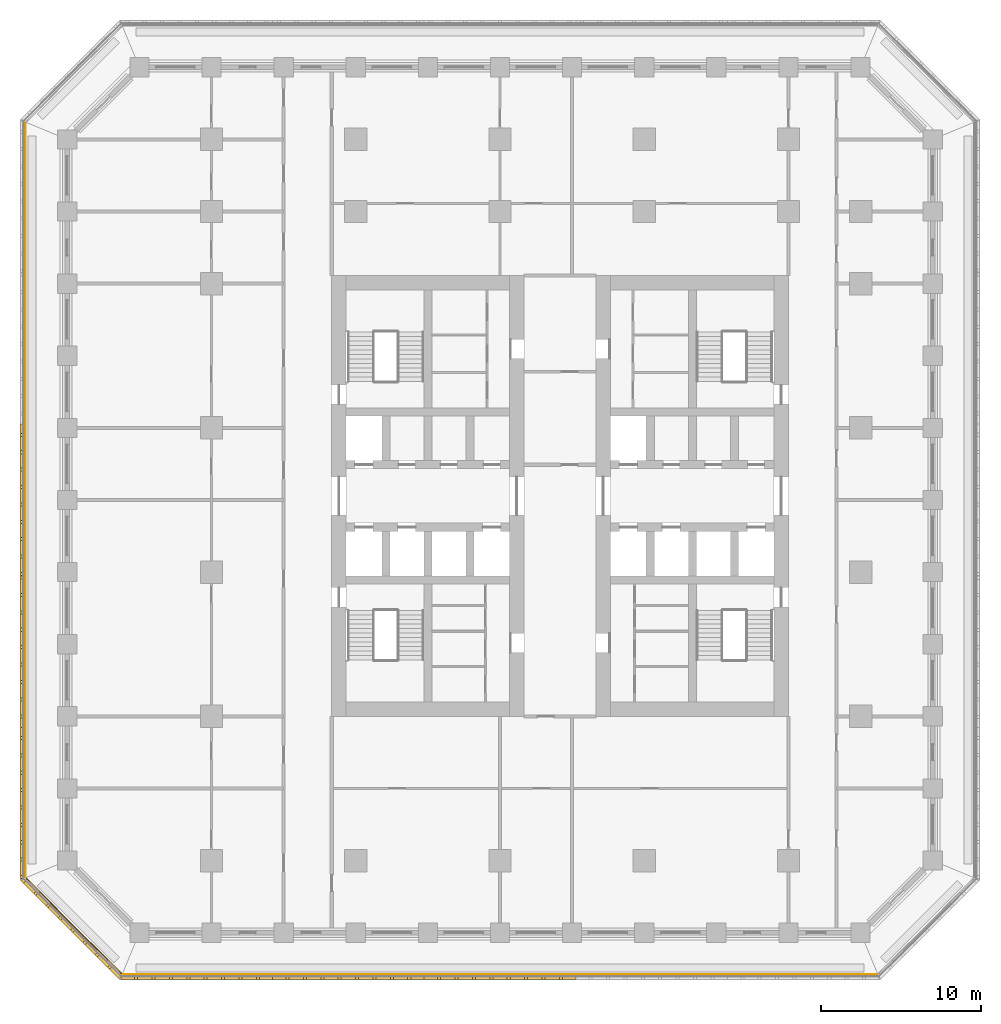
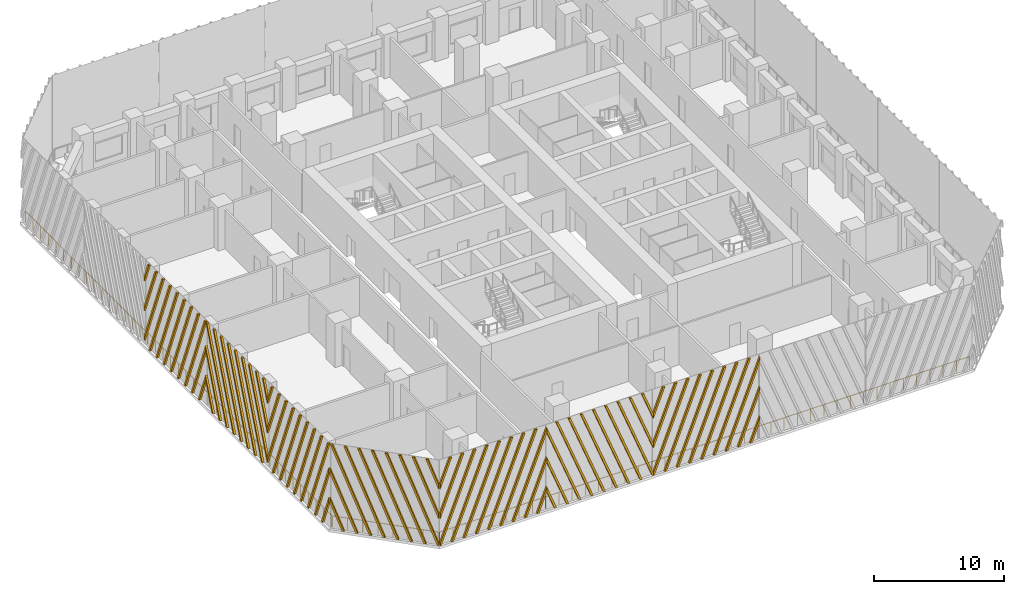
# One storey, part 10 of 19: 7 shading devices, 3 railings.
"""IFC4 building model written with IfcOpenShell, lengths in metres."""

from ifc_helpers import new_model, si_unit, direction, frame, origin, origin_2d, place, context, subcontext, project, spatial, polyline, circle, outline, extrude, source, transform, mapped, material, type_object, element, save


model = new_model("IFC4")

# Units and contexts
model_context = context("Model", 3, precision=1e-05, world=origin(), true_north=direction((0.0, 1.0)))
body_context = subcontext(model_context, "Body", "Model", "MODEL_VIEW")
ifc_project = project(units=[si_unit("LENGTHUNIT", "METRE"), si_unit("AREAUNIT", "SQUARE_METRE"), si_unit("VOLUMEUNIT", "CUBIC_METRE"), si_unit("PLANEANGLEUNIT", "RADIAN"), si_unit("MASSUNIT", "GRAM", prefix="KILO")], contexts=[model_context])

# Site, building, storey
site_placement = place(None, origin())
site = spatial("IfcSite", under=ifc_project, at=site_placement, CompositionType="ELEMENT")
building_placement = place(site_placement, origin())
building = spatial("IfcBuilding", under=site, at=building_placement, Name="Corbel Stack Research Tower", CompositionType="ELEMENT")
storey_placement = place(building_placement, frame((0.0, 0.0, 133.10009765625)))
storey = spatial("IfcBuildingStorey", under=building, at=storey_placement, Name="L30", CompositionType="ELEMENT", Elevation=133.10009765625)

# Railings
ifc_material_1 = material(Name="Powder-coated steel guard", Category="steel")
railing_type = type_object("IfcRailingType", Name="Steel and glass guard 1100", PredefinedType="GUARDRAIL", material=ifc_material_1)
railing_1_placement = place(storey_placement, frame((-23.50537109375, -25.10009765625, 0.0)))
element("IfcRailing", 1, at=railing_1_placement, inside=storey, type_object=railing_type, Name="Loggia guard L30 S", PredefinedType="GUARDRAIL", context=body_context, shape_type="SweptSolid", body=[
    extrude(circle(Radius=0.02392578125, at=origin_2d()), frame((0.0, 0.0, 1.076171875), z_axis=(1.0, 0.0, 0.0), x_axis=(0.0, 1.0, 0.0)), (0.0, 0.0, 1.0), 47.0107421875),
    extrude(circle(Radius=0.02099609375, at=origin_2d()), origin(), (0.0, 0.0, 1.0), 1.052001953125),
    extrude(circle(Radius=0.02099609375, at=origin_2d()), frame((1.17529296875, 0.0, 0.0)), (0.0, 0.0, 1.0), 1.052001953125),
    extrude(circle(Radius=0.02099609375, at=origin_2d()), frame((2.3505859375, 0.0, 0.0)), (0.0, 0.0, 1.0), 1.052001953125),
    extrude(circle(Radius=0.02099609375, at=origin_2d()), frame((3.52587890625, 0.0, 0.0)), (0.0, 0.0, 1.0), 1.052001953125),
    extrude(circle(Radius=0.02099609375, at=origin_2d()), frame((4.701171875, 0.0, 0.0)), (0.0, 0.0, 1.0), 1.052001953125),
    extrude(circle(Radius=0.02099609375, at=origin_2d()), frame((5.87646484375, 0.0, 0.0)), (0.0, 0.0, 1.0), 1.052001953125),
    extrude(circle(Radius=0.02099609375, at=origin_2d()), frame((7.051513671875, 0.0, 0.0)), (0.0, 0.0, 1.0), 1.052001953125),
    extrude(circle(Radius=0.02099609375, at=origin_2d()), frame((8.226806640625, 0.0, 0.0)), (0.0, 0.0, 1.0), 1.052001953125),
    extrude(circle(Radius=0.02099609375, at=origin_2d()), frame((9.402099609375, 0.0, 0.0)), (0.0, 0.0, 1.0), 1.052001953125),
    extrude(circle(Radius=0.02099609375, at=origin_2d()), frame((10.577392578125, 0.0, 0.0)), (0.0, 0.0, 1.0), 1.052001953125),
    extrude(circle(Radius=0.02099609375, at=origin_2d()), frame((11.752685546875, 0.0, 0.0)), (0.0, 0.0, 1.0), 1.052001953125),
    extrude(circle(Radius=0.02099609375, at=origin_2d()), frame((12.927978515625, 0.0, 0.0)), (0.0, 0.0, 1.0), 1.052001953125),
    extrude(circle(Radius=0.02099609375, at=origin_2d()), frame((14.103271484375, 0.0, 0.0)), (0.0, 0.0, 1.0), 1.052001953125),
    extrude(circle(Radius=0.02099609375, at=origin_2d()), frame((15.278564453125, 0.0, 0.0)), (0.0, 0.0, 1.0), 1.052001953125),
    extrude(circle(Radius=0.02099609375, at=origin_2d()), frame((16.453857421875, 0.0, 0.0)), (0.0, 0.0, 1.0), 1.052001953125),
    extrude(circle(Radius=0.02099609375, at=origin_2d()), frame((17.62890625, 0.0, 0.0)), (0.0, 0.0, 1.0), 1.052001953125),
    extrude(circle(Radius=0.02099609375, at=origin_2d()), frame((18.80419921875, 0.0, 0.0)), (0.0, 0.0, 1.0), 1.052001953125),
    extrude(circle(Radius=0.02099609375, at=origin_2d()), frame((19.9794921875, 0.0, 0.0)), (0.0, 0.0, 1.0), 1.052001953125),
    extrude(circle(Radius=0.02099609375, at=origin_2d()), frame((21.15478515625, 0.0, 0.0)), (0.0, 0.0, 1.0), 1.052001953125),
    extrude(circle(Radius=0.02099609375, at=origin_2d()), frame((22.330078125, 0.0, 0.0)), (0.0, 0.0, 1.0), 1.052001953125),
    extrude(circle(Radius=0.02099609375, at=origin_2d()), frame((23.50537109375, 0.0, 0.0)), (0.0, 0.0, 1.0), 1.052001953125),
    extrude(circle(Radius=0.02099609375, at=origin_2d()), frame((24.6806640625, 0.0, 0.0)), (0.0, 0.0, 1.0), 1.052001953125),
    extrude(circle(Radius=0.02099609375, at=origin_2d()), frame((25.85595703125, 0.0, 0.0)), (0.0, 0.0, 1.0), 1.052001953125),
    extrude(circle(Radius=0.02099609375, at=origin_2d()), frame((27.03125, 0.0, 0.0)), (0.0, 0.0, 1.0), 1.052001953125),
    extrude(circle(Radius=0.02099609375, at=origin_2d()), frame((28.20654296875, 0.0, 0.0)), (0.0, 0.0, 1.0), 1.052001953125),
    extrude(circle(Radius=0.02099609375, at=origin_2d()), frame((29.3818359375, 0.0, 0.0)), (0.0, 0.0, 1.0), 1.052001953125),
    extrude(circle(Radius=0.02099609375, at=origin_2d()), frame((30.556884765625, 0.0, 0.0)), (0.0, 0.0, 1.0), 1.052001953125),
    extrude(circle(Radius=0.02099609375, at=origin_2d()), frame((31.732177734375, 0.0, 0.0)), (0.0, 0.0, 1.0), 1.052001953125),
    extrude(circle(Radius=0.02099609375, at=origin_2d()), frame((32.907470703125, 0.0, 0.0)), (0.0, 0.0, 1.0), 1.052001953125),
    extrude(circle(Radius=0.02099609375, at=origin_2d()), frame((34.082763671875, 0.0, 0.0)), (0.0, 0.0, 1.0), 1.052001953125),
    extrude(circle(Radius=0.02099609375, at=origin_2d()), frame((35.258056640625, 0.0, 0.0)), (0.0, 0.0, 1.0), 1.052001953125),
    extrude(circle(Radius=0.02099609375, at=origin_2d()), frame((36.433349609375, 0.0, 0.0)), (0.0, 0.0, 1.0), 1.052001953125),
    extrude(circle(Radius=0.02099609375, at=origin_2d()), frame((37.608642578125, 0.0, 0.0)), (0.0, 0.0, 1.0), 1.052001953125),
    extrude(circle(Radius=0.02099609375, at=origin_2d()), frame((38.783935546875, 0.0, 0.0)), (0.0, 0.0, 1.0), 1.052001953125),
    extrude(circle(Radius=0.02099609375, at=origin_2d()), frame((39.959228515625, 0.0, 0.0)), (0.0, 0.0, 1.0), 1.052001953125),
    extrude(circle(Radius=0.02099609375, at=origin_2d()), frame((41.13427734375, 0.0, 0.0)), (0.0, 0.0, 1.0), 1.052001953125),
    extrude(circle(Radius=0.02099609375, at=origin_2d()), frame((42.3095703125, 0.0, 0.0)), (0.0, 0.0, 1.0), 1.052001953125),
    extrude(circle(Radius=0.02099609375, at=origin_2d()), frame((43.48486328125, 0.0, 0.0)), (0.0, 0.0, 1.0), 1.052001953125),
    extrude(circle(Radius=0.02099609375, at=origin_2d()), frame((44.66015625, 0.0, 0.0)), (0.0, 0.0, 1.0), 1.052001953125),
    extrude(circle(Radius=0.02099609375, at=origin_2d()), frame((45.83544921875, 0.0, 0.0)), (0.0, 0.0, 1.0), 1.052001953125),
    extrude(circle(Radius=0.02099609375, at=origin_2d()), frame((47.0107421875, 0.0, 0.0)), (0.0, 0.0, 1.0), 1.052001953125),
])
railing_2_placement = place(storey_placement, frame((-29.60009765625, 28.00537109375, 0.0)))
element("IfcRailing", 2, at=railing_2_placement, inside=storey, type_object=railing_type, Name="Loggia guard L30 W", PredefinedType="GUARDRAIL", context=body_context, shape_type="SweptSolid", body=[
    extrude(circle(Radius=0.02392578125, at=origin_2d()), frame((0.0, 0.0, 1.076171875), z_axis=(0.0, -1.0, 0.0), x_axis=(1.0, 0.0, 0.0)), (0.0, 0.0, 1.0), 47.0107421875),
    extrude(circle(Radius=0.02099609375, at=origin_2d()), origin(), (0.0, 0.0, 1.0), 1.052001953125),
    extrude(circle(Radius=0.02099609375, at=origin_2d()), frame((0.0, -1.17529296875, 0.0)), (0.0, 0.0, 1.0), 1.052001953125),
    extrude(circle(Radius=0.02099609375, at=origin_2d()), frame((0.0, -2.3505859375, 0.0)), (0.0, 0.0, 1.0), 1.052001953125),
    extrude(circle(Radius=0.02099609375, at=origin_2d()), frame((0.0, -3.52587890625, 0.0)), (0.0, 0.0, 1.0), 1.052001953125),
    extrude(circle(Radius=0.02099609375, at=origin_2d()), frame((0.0, -4.701171875, 0.0)), (0.0, 0.0, 1.0), 1.052001953125),
    extrude(circle(Radius=0.02099609375, at=origin_2d()), frame((0.0, -5.87646484375, 0.0)), (0.0, 0.0, 1.0), 1.052001953125),
    extrude(circle(Radius=0.02099609375, at=origin_2d()), frame((0.0, -7.051513671875, 0.0)), (0.0, 0.0, 1.0), 1.052001953125),
    extrude(circle(Radius=0.02099609375, at=origin_2d()), frame((0.0, -8.226806640625, 0.0)), (0.0, 0.0, 1.0), 1.052001953125),
    extrude(circle(Radius=0.02099609375, at=origin_2d()), frame((0.0, -9.402099609375, 0.0)), (0.0, 0.0, 1.0), 1.052001953125),
    extrude(circle(Radius=0.02099609375, at=origin_2d()), frame((0.0, -10.577392578125, 0.0)), (0.0, 0.0, 1.0), 1.052001953125),
    extrude(circle(Radius=0.02099609375, at=origin_2d()), frame((0.0, -11.752685546875, 0.0)), (0.0, 0.0, 1.0), 1.052001953125),
    extrude(circle(Radius=0.02099609375, at=origin_2d()), frame((0.0, -12.927978515625, 0.0)), (0.0, 0.0, 1.0), 1.052001953125),
    extrude(circle(Radius=0.02099609375, at=origin_2d()), frame((0.0, -14.103271484375, 0.0)), (0.0, 0.0, 1.0), 1.052001953125),
    extrude(circle(Radius=0.02099609375, at=origin_2d()), frame((0.0, -15.278564453125, 0.0)), (0.0, 0.0, 1.0), 1.052001953125),
    extrude(circle(Radius=0.02099609375, at=origin_2d()), frame((0.0, -16.453857421875, 0.0)), (0.0, 0.0, 1.0), 1.052001953125),
    extrude(circle(Radius=0.02099609375, at=origin_2d()), frame((0.0, -17.62890625, 0.0)), (0.0, 0.0, 1.0), 1.052001953125),
    extrude(circle(Radius=0.02099609375, at=origin_2d()), frame((0.0, -18.80419921875, 0.0)), (0.0, 0.0, 1.0), 1.052001953125),
    extrude(circle(Radius=0.02099609375, at=origin_2d()), frame((0.0, -19.9794921875, 0.0)), (0.0, 0.0, 1.0), 1.052001953125),
    extrude(circle(Radius=0.02099609375, at=origin_2d()), frame((0.0, -21.15478515625, 0.0)), (0.0, 0.0, 1.0), 1.052001953125),
    extrude(circle(Radius=0.02099609375, at=origin_2d()), frame((0.0, -22.330078125, 0.0)), (0.0, 0.0, 1.0), 1.052001953125),
    extrude(circle(Radius=0.02099609375, at=origin_2d()), frame((0.0, -23.50537109375, 0.0)), (0.0, 0.0, 1.0), 1.052001953125),
    extrude(circle(Radius=0.02099609375, at=origin_2d()), frame((0.0, -24.6806640625, 0.0)), (0.0, 0.0, 1.0), 1.052001953125),
    extrude(circle(Radius=0.02099609375, at=origin_2d()), frame((0.0, -25.85595703125, 0.0)), (0.0, 0.0, 1.0), 1.052001953125),
    extrude(circle(Radius=0.02099609375, at=origin_2d()), frame((0.0, -27.03125, 0.0)), (0.0, 0.0, 1.0), 1.052001953125),
    extrude(circle(Radius=0.02099609375, at=origin_2d()), frame((0.0, -28.20654296875, 0.0)), (0.0, 0.0, 1.0), 1.052001953125),
    extrude(circle(Radius=0.02099609375, at=origin_2d()), frame((0.0, -29.3818359375, 0.0)), (0.0, 0.0, 1.0), 1.052001953125),
    extrude(circle(Radius=0.02099609375, at=origin_2d()), frame((0.0, -30.556884765625, 0.0)), (0.0, 0.0, 1.0), 1.052001953125),
    extrude(circle(Radius=0.02099609375, at=origin_2d()), frame((0.0, -31.732177734375, 0.0)), (0.0, 0.0, 1.0), 1.052001953125),
    extrude(circle(Radius=0.02099609375, at=origin_2d()), frame((0.0, -32.907470703125, 0.0)), (0.0, 0.0, 1.0), 1.052001953125),
    extrude(circle(Radius=0.02099609375, at=origin_2d()), frame((0.0, -34.082763671875, 0.0)), (0.0, 0.0, 1.0), 1.052001953125),
    extrude(circle(Radius=0.02099609375, at=origin_2d()), frame((0.0, -35.258056640625, 0.0)), (0.0, 0.0, 1.0), 1.052001953125),
    extrude(circle(Radius=0.02099609375, at=origin_2d()), frame((0.0, -36.433349609375, 0.0)), (0.0, 0.0, 1.0), 1.052001953125),
    extrude(circle(Radius=0.02099609375, at=origin_2d()), frame((0.0, -37.608642578125, 0.0)), (0.0, 0.0, 1.0), 1.052001953125),
    extrude(circle(Radius=0.02099609375, at=origin_2d()), frame((0.0, -38.783935546875, 0.0)), (0.0, 0.0, 1.0), 1.052001953125),
    extrude(circle(Radius=0.02099609375, at=origin_2d()), frame((0.0, -39.959228515625, 0.0)), (0.0, 0.0, 1.0), 1.052001953125),
    extrude(circle(Radius=0.02099609375, at=origin_2d()), frame((0.0, -41.13427734375, 0.0)), (0.0, 0.0, 1.0), 1.052001953125),
    extrude(circle(Radius=0.02099609375, at=origin_2d()), frame((0.0, -42.3095703125, 0.0)), (0.0, 0.0, 1.0), 1.052001953125),
    extrude(circle(Radius=0.02099609375, at=origin_2d()), frame((0.0, -43.48486328125, 0.0)), (0.0, 0.0, 1.0), 1.052001953125),
    extrude(circle(Radius=0.02099609375, at=origin_2d()), frame((0.0, -44.66015625, 0.0)), (0.0, 0.0, 1.0), 1.052001953125),
    extrude(circle(Radius=0.02099609375, at=origin_2d()), frame((0.0, -45.83544921875, 0.0)), (0.0, 0.0, 1.0), 1.052001953125),
    extrude(circle(Radius=0.02099609375, at=origin_2d()), frame((0.0, -47.0107421875, 0.0)), (0.0, 0.0, 1.0), 1.052001953125),
])
railing_3_placement = place(storey_placement, frame((-29.54931640625, -19.127685546875, 0.0)))
element("IfcRailing", 3, at=railing_3_placement, inside=storey, type_object=railing_type, Name="Loggia guard L30 SW", PredefinedType="GUARDRAIL", context=body_context, shape_type="SweptSolid", body=[
    extrude(circle(Radius=0.02392578125, at=origin_2d()), frame((0.0, 0.0, 1.076171875), z_axis=(0.707106781187, -0.707106781187, 0.0), x_axis=(0.707106781187, 0.707106781187, 0.0)), (0.0, 0.0, 1.0), 8.37451171875),
    extrude(circle(Radius=0.02099609375, at=origin_2d()), origin(), (0.0, 0.0, 1.0), 1.052001953125),
    extrude(circle(Radius=0.02099609375, at=origin_2d()), frame((0.845947265625, -0.845947265625, 0.0)), (0.0, 0.0, 1.0), 1.052001953125),
    extrude(circle(Radius=0.02099609375, at=origin_2d()), frame((1.69189453125, -1.69189453125, 0.0)), (0.0, 0.0, 1.0), 1.052001953125),
    extrude(circle(Radius=0.02099609375, at=origin_2d()), frame((2.537841796875, -2.537841796875, 0.0)), (0.0, 0.0, 1.0), 1.052001953125),
    extrude(circle(Radius=0.02099609375, at=origin_2d()), frame((3.3837890625, -3.3837890625, 0.0)), (0.0, 0.0, 1.0), 1.052001953125),
    extrude(circle(Radius=0.02099609375, at=origin_2d()), frame((4.229736328125, -4.229736328125, 0.0)), (0.0, 0.0, 1.0), 1.052001953125),
    extrude(circle(Radius=0.02099609375, at=origin_2d()), frame((5.07568359375, -5.07568359375, 0.0)), (0.0, 0.0, 1.0), 1.052001953125),
    extrude(circle(Radius=0.02099609375, at=origin_2d()), frame((5.921630859375, -5.921630859375, 0.0)), (0.0, 0.0, 1.0), 1.052001953125),
])

# Shading devices
ifc_material_2 = material(Name="Precast terracotta", Category="masonry")
shading_device_type = type_object("IfcShadingDeviceType", Name="Terracotta screen panel", PredefinedType="USERDEFINED", material=ifc_material_2)
shared_shape_1 = source(origin(), body_context, "Body", "SweptSolid", [
    extrude(outline(polyline([(1.030517578125, 7.949951171875), (0.840576171875, 7.949951171875), (0.0, 5.7978515625), (0.0, 5.311279296875), (1.030517578125, 7.949951171875)])), frame((0.0, 0.0, 0.0), z_axis=(0.0, -1.0, 0.0), x_axis=(1.0, 0.0, 0.0)), (0.0, 0.0, 1.0), 0.179931640625),
    extrude(outline(polyline([(2.115234375, 7.949951171875), (1.92529296875, 7.949951171875), (0.0, 3.0205078125), (0.0, 2.533935546875), (2.115234375, 7.949951171875)])), frame((0.0, 0.0, 0.0), z_axis=(0.0, -1.0, 0.0), x_axis=(1.0, 0.0, 0.0)), (0.0, 0.0, 1.0), 0.179931640625),
    extrude(outline(polyline([(0.094970703125, 0.0), (3.199951171875, 7.949951171875), (3.010009765625, 7.949951171875), (0.0, 0.2431640625), (0.0, 0.0), (0.094970703125, 0.0)])), frame((0.0, 0.0, 0.0), z_axis=(0.0, -1.0, 0.0), x_axis=(1.0, 0.0, 0.0)), (0.0, 0.0, 1.0), 0.179931640625),
    extrude(outline(polyline([(1.1796875, 0.0), (4.284423828125, 7.949951171875), (4.094482421875, 7.949951171875), (0.98974609375, 0.0), (1.1796875, 0.0)])), frame((0.0, 0.0, 0.0), z_axis=(0.0, -1.0, 0.0), x_axis=(1.0, 0.0, 0.0)), (0.0, 0.0, 1.0), 0.179931640625),
    extrude(outline(polyline([(2.264404296875, 0.0), (5.369140625, 7.949951171875), (5.17919921875, 7.949951171875), (2.07421875, 0.0), (2.264404296875, 0.0)])), frame((0.0, 0.0, 0.0), z_axis=(0.0, -1.0, 0.0), x_axis=(1.0, 0.0, 0.0)), (0.0, 0.0, 1.0), 0.179931640625),
    extrude(outline(polyline([(3.34912109375, 0.0), (6.453857421875, 7.949951171875), (6.263916015625, 7.949951171875), (3.158935546875, 0.0), (3.34912109375, 0.0)])), frame((0.0, 0.0, 0.0), z_axis=(0.0, -1.0, 0.0), x_axis=(1.0, 0.0, 0.0)), (0.0, 0.0, 1.0), 0.179931640625),
    extrude(outline(polyline([(4.43359375, 0.0), (7.53857421875, 7.949951171875), (7.348388671875, 7.949951171875), (4.24365234375, 0.0), (4.43359375, 0.0)])), frame((0.0, 0.0, 0.0), z_axis=(0.0, -1.0, 0.0), x_axis=(1.0, 0.0, 0.0)), (0.0, 0.0, 1.0), 0.179931640625),
    extrude(outline(polyline([(5.518310546875, 0.0), (8.623291015625, 7.949951171875), (8.43310546875, 7.949951171875), (5.328369140625, 0.0), (5.518310546875, 0.0)])), frame((0.0, 0.0, 0.0), z_axis=(0.0, -1.0, 0.0), x_axis=(1.0, 0.0, 0.0)), (0.0, 0.0, 1.0), 0.179931640625),
    extrude(outline(polyline([(6.60302734375, 0.0), (9.45556640625, 7.30419921875), (9.45556640625, 7.790771484375), (6.4130859375, 0.0), (6.60302734375, 0.0)])), frame((0.0, 0.0, 0.0), z_axis=(0.0, -1.0, 0.0), x_axis=(1.0, 0.0, 0.0)), (0.0, 0.0, 1.0), 0.179931640625),
    extrude(outline(polyline([(7.687744140625, 0.0), (9.45556640625, 4.52685546875), (9.45556640625, 5.013427734375), (7.497802734375, 0.0), (7.687744140625, 0.0)])), frame((0.0, 0.0, 0.0), z_axis=(0.0, -1.0, 0.0), x_axis=(1.0, 0.0, 0.0)), (0.0, 0.0, 1.0), 0.179931640625),
    extrude(outline(polyline([(8.772216796875, 0.0), (9.45556640625, 1.74951171875), (9.45556640625, 2.236083984375), (8.582275390625, 0.0), (8.772216796875, 0.0)])), frame((0.0, 0.0, 0.0), z_axis=(0.0, -1.0, 0.0), x_axis=(1.0, 0.0, 0.0)), (0.0, 0.0, 1.0), 0.179931640625),
])
for number, where, z_axis, x_axis, name in (
    (4, (-23.63916015625, -25.25, 0.0), (0.0, 0.0, 1.0), (1.0, 0.0, 0.0), "Terracotta screen L30 S1"),
    (5, (-4.727783203125, -25.25, 0.0), (0.0, 0.0, 1.0), (1.0, 0.0, 0.0), "Terracotta screen L30 S3"),
):
    element("IfcShadingDevice", number, at=place(storey_placement, frame(where, z_axis=z_axis, x_axis=x_axis)), inside=storey, type_object=shading_device_type, Name=name, ObjectType="SCREEN", PredefinedType="USERDEFINED", context=body_context, shape_type="MappedRepresentation", body=[
        mapped(shared_shape_1, transform((0.0, 0.0, 0.0))),
    ])
shared_shape_2 = source(origin(), body_context, "Body", "SweptSolid", [
    extrude(outline(polyline([(0.873291015625, 0.0), (0.0, 2.236083984375), (0.0, 1.74951171875), (0.683349609375, 0.0), (0.873291015625, 0.0)])), frame((0.0, 0.0, 0.0), z_axis=(0.0, -1.0, 0.0), x_axis=(1.0, 0.0, 0.0)), (0.0, 0.0, 1.0), 0.179931640625),
    extrude(outline(polyline([(1.9580078125, 0.0), (0.0, 5.013427734375), (0.0, 4.52685546875), (1.76806640625, 0.0), (1.9580078125, 0.0)])), frame((0.0, 0.0, 0.0), z_axis=(0.0, -1.0, 0.0), x_axis=(1.0, 0.0, 0.0)), (0.0, 0.0, 1.0), 0.179931640625),
    extrude(outline(polyline([(3.04248046875, 0.0), (0.0, 7.790771484375), (0.0, 7.30419921875), (2.8525390625, 0.0), (3.04248046875, 0.0)])), frame((0.0, 0.0, 0.0), z_axis=(0.0, -1.0, 0.0), x_axis=(1.0, 0.0, 0.0)), (0.0, 0.0, 1.0), 0.179931640625),
    extrude(outline(polyline([(4.127197265625, 0.0), (1.0224609375, 7.949951171875), (0.83251953125, 7.949951171875), (3.937255859375, 0.0), (4.127197265625, 0.0)])), frame((0.0, 0.0, 0.0), z_axis=(0.0, -1.0, 0.0), x_axis=(1.0, 0.0, 0.0)), (0.0, 0.0, 1.0), 0.179931640625),
    extrude(outline(polyline([(5.2119140625, 0.0), (2.107177734375, 7.949951171875), (1.9169921875, 7.949951171875), (5.02197265625, 0.0), (5.2119140625, 0.0)])), frame((0.0, 0.0, 0.0), z_axis=(0.0, -1.0, 0.0), x_axis=(1.0, 0.0, 0.0)), (0.0, 0.0, 1.0), 0.179931640625),
    extrude(outline(polyline([(6.296630859375, 0.0), (3.19189453125, 7.949951171875), (3.001708984375, 7.949951171875), (6.106689453125, 0.0), (6.296630859375, 0.0)])), frame((0.0, 0.0, 0.0), z_axis=(0.0, -1.0, 0.0), x_axis=(1.0, 0.0, 0.0)), (0.0, 0.0, 1.0), 0.179931640625),
    extrude(outline(polyline([(7.38134765625, 0.0), (4.276611328125, 7.949951171875), (4.08642578125, 7.949951171875), (7.19140625, 0.0), (7.38134765625, 0.0)])), frame((0.0, 0.0, 0.0), z_axis=(0.0, -1.0, 0.0), x_axis=(1.0, 0.0, 0.0)), (0.0, 0.0, 1.0), 0.179931640625),
    extrude(outline(polyline([(8.466064453125, 0.0), (5.361083984375, 7.949951171875), (5.171142578125, 7.949951171875), (8.27587890625, 0.0), (8.466064453125, 0.0)])), frame((0.0, 0.0, 0.0), z_axis=(0.0, -1.0, 0.0), x_axis=(1.0, 0.0, 0.0)), (0.0, 0.0, 1.0), 0.179931640625),
    extrude(outline(polyline([(9.45556640625, 0.0), (9.45556640625, 0.2431640625), (6.44580078125, 7.949951171875), (6.255859375, 7.949951171875), (9.360595703125, 0.0), (9.45556640625, 0.0)])), frame((0.0, 0.0, 0.0), z_axis=(0.0, -1.0, 0.0), x_axis=(1.0, 0.0, 0.0)), (0.0, 0.0, 1.0), 0.179931640625),
    extrude(outline(polyline([(7.530517578125, 7.949951171875), (7.34033203125, 7.949951171875), (9.45556640625, 2.533935546875), (9.45556640625, 3.0205078125), (7.530517578125, 7.949951171875)])), frame((0.0, 0.0, 0.0), z_axis=(0.0, -1.0, 0.0), x_axis=(1.0, 0.0, 0.0)), (0.0, 0.0, 1.0), 0.179931640625),
    extrude(outline(polyline([(8.614990234375, 7.949951171875), (8.425048828125, 7.949951171875), (9.45556640625, 5.311279296875), (9.45556640625, 5.7978515625), (8.614990234375, 7.949951171875)])), frame((0.0, 0.0, 0.0), z_axis=(0.0, -1.0, 0.0), x_axis=(1.0, 0.0, 0.0)), (0.0, 0.0, 1.0), 0.179931640625),
])
shading_device_1_placement = place(storey_placement, frame((-14.18359375, -25.25, 0.0), z_axis=(0.0, 0.0, 1.0), x_axis=(1.0, 0.0, 0.0)))
element("IfcShadingDevice", 6, at=shading_device_1_placement, inside=storey, type_object=shading_device_type, Name="Terracotta screen L30 S2", ObjectType="SCREEN", PredefinedType="USERDEFINED", context=body_context, shape_type="MappedRepresentation", body=[
    mapped(shared_shape_2, transform((0.0, 0.0, 0.0))),
])
shared_shape_3 = source(origin(), body_context, "Body", "SweptSolid", [
    extrude(outline(polyline([(0.759521484375, 7.949951171875), (0.5693359375, 7.949951171875), (0.0, 6.4921875), (0.0, 6.005615234375), (0.759521484375, 7.949951171875)])), frame((0.0, 0.0, 0.0), z_axis=(0.0, -1.0, 0.0), x_axis=(1.0, 0.0, 0.0)), (0.0, 0.0, 1.0), 0.179931640625),
    extrude(outline(polyline([(1.843994140625, 7.949951171875), (1.654052734375, 7.949951171875), (0.0, 3.71484375), (0.0, 3.228515625), (1.843994140625, 7.949951171875)])), frame((0.0, 0.0, 0.0), z_axis=(0.0, -1.0, 0.0), x_axis=(1.0, 0.0, 0.0)), (0.0, 0.0, 1.0), 0.179931640625),
    extrude(outline(polyline([(2.9287109375, 7.949951171875), (2.73876953125, 7.949951171875), (0.0, 0.9375), (0.0, 0.451171875), (2.9287109375, 7.949951171875)])), frame((0.0, 0.0, 0.0), z_axis=(0.0, -1.0, 0.0), x_axis=(1.0, 0.0, 0.0)), (0.0, 0.0, 1.0), 0.179931640625),
    extrude(outline(polyline([(0.908447265625, 0.0), (4.013427734375, 7.949951171875), (3.823486328125, 7.949951171875), (0.718505859375, 0.0), (0.908447265625, 0.0)])), frame((0.0, 0.0, 0.0), z_axis=(0.0, -1.0, 0.0), x_axis=(1.0, 0.0, 0.0)), (0.0, 0.0, 1.0), 0.179931640625),
    extrude(outline(polyline([(1.9931640625, 0.0), (5.097900390625, 7.949951171875), (4.907958984375, 7.949951171875), (1.80322265625, 0.0), (1.9931640625, 0.0)])), frame((0.0, 0.0, 0.0), z_axis=(0.0, -1.0, 0.0), x_axis=(1.0, 0.0, 0.0)), (0.0, 0.0, 1.0), 0.179931640625),
    extrude(outline(polyline([(3.077880859375, 0.0), (6.1826171875, 7.949951171875), (5.99267578125, 7.949951171875), (2.8876953125, 0.0), (3.077880859375, 0.0)])), frame((0.0, 0.0, 0.0), z_axis=(0.0, -1.0, 0.0), x_axis=(1.0, 0.0, 0.0)), (0.0, 0.0, 1.0), 0.179931640625),
    extrude(outline(polyline([(4.16259765625, 0.0), (7.267333984375, 7.949951171875), (7.077392578125, 7.949951171875), (3.972412109375, 0.0), (4.16259765625, 0.0)])), frame((0.0, 0.0, 0.0), z_axis=(0.0, -1.0, 0.0), x_axis=(1.0, 0.0, 0.0)), (0.0, 0.0, 1.0), 0.179931640625),
    extrude(outline(polyline([(5.247314453125, 0.0), (8.35205078125, 7.949951171875), (8.162109375, 7.949951171875), (5.05712890625, 0.0), (5.247314453125, 0.0)])), frame((0.0, 0.0, 0.0), z_axis=(0.0, -1.0, 0.0), x_axis=(1.0, 0.0, 0.0)), (0.0, 0.0, 1.0), 0.179931640625),
    extrude(outline(polyline([(6.331787109375, 0.0), (9.436767578125, 7.949951171875), (9.24658203125, 7.949951171875), (6.141845703125, 0.0), (6.331787109375, 0.0)])), frame((0.0, 0.0, 0.0), z_axis=(0.0, -1.0, 0.0), x_axis=(1.0, 0.0, 0.0)), (0.0, 0.0, 1.0), 0.179931640625),
    extrude(outline(polyline([(7.41650390625, 0.0), (9.45556640625, 5.22119140625), (9.45556640625, 5.707763671875), (7.2265625, 0.0), (7.41650390625, 0.0)])), frame((0.0, 0.0, 0.0), z_axis=(0.0, -1.0, 0.0), x_axis=(1.0, 0.0, 0.0)), (0.0, 0.0, 1.0), 0.179931640625),
    extrude(outline(polyline([(8.501220703125, 0.0), (9.45556640625, 2.44384765625), (9.45556640625, 2.930419921875), (8.311279296875, 0.0), (8.501220703125, 0.0)])), frame((0.0, 0.0, 0.0), z_axis=(0.0, -1.0, 0.0), x_axis=(1.0, 0.0, 0.0)), (0.0, 0.0, 1.0), 0.179931640625),
])
for number, where, z_axis, x_axis, name in (
    (7, (-29.75, 9.227783203125, 0.0), (0.0, 0.0, 1.0), (0.0, -1.0, 0.0), "Terracotta screen L30 W3"),
    (8, (-29.75, -9.68359375, 0.0), (0.0, 0.0, 1.0), (0.0, -1.0, 0.0), "Terracotta screen L30 W5"),
):
    element("IfcShadingDevice", number, at=place(storey_placement, frame(where, z_axis=z_axis, x_axis=x_axis)), inside=storey, type_object=shading_device_type, Name=name, ObjectType="SCREEN", PredefinedType="USERDEFINED", context=body_context, shape_type="MappedRepresentation", body=[
        mapped(shared_shape_3, transform((0.0, 0.0, 0.0))),
    ])
shared_shape_4 = source(origin(), body_context, "Body", "SweptSolid", [
    extrude(outline(polyline([(1.14453125, 0.0), (0.0, 2.930419921875), (0.0, 2.44384765625), (0.95458984375, 0.0), (1.14453125, 0.0)])), frame((0.0, 0.0, 0.0), z_axis=(0.0, -1.0, 0.0), x_axis=(1.0, 0.0, 0.0)), (0.0, 0.0, 1.0), 0.179931640625),
    extrude(outline(polyline([(2.22900390625, 0.0), (0.0, 5.707763671875), (0.0, 5.22119140625), (2.0390625, 0.0), (2.22900390625, 0.0)])), frame((0.0, 0.0, 0.0), z_axis=(0.0, -1.0, 0.0), x_axis=(1.0, 0.0, 0.0)), (0.0, 0.0, 1.0), 0.179931640625),
    extrude(outline(polyline([(3.313720703125, 0.0), (0.208984375, 7.949951171875), (0.01904296875, 7.949951171875), (3.123779296875, 0.0), (3.313720703125, 0.0)])), frame((0.0, 0.0, 0.0), z_axis=(0.0, -1.0, 0.0), x_axis=(1.0, 0.0, 0.0)), (0.0, 0.0, 1.0), 0.179931640625),
    extrude(outline(polyline([(4.3984375, 0.0), (1.293701171875, 7.949951171875), (1.103515625, 7.949951171875), (4.20849609375, 0.0), (4.3984375, 0.0)])), frame((0.0, 0.0, 0.0), z_axis=(0.0, -1.0, 0.0), x_axis=(1.0, 0.0, 0.0)), (0.0, 0.0, 1.0), 0.179931640625),
    extrude(outline(polyline([(5.483154296875, 0.0), (2.37841796875, 7.949951171875), (2.188232421875, 7.949951171875), (5.293212890625, 0.0), (5.483154296875, 0.0)])), frame((0.0, 0.0, 0.0), z_axis=(0.0, -1.0, 0.0), x_axis=(1.0, 0.0, 0.0)), (0.0, 0.0, 1.0), 0.179931640625),
    extrude(outline(polyline([(6.56787109375, 0.0), (3.462890625, 7.949951171875), (3.27294921875, 7.949951171875), (6.377685546875, 0.0), (6.56787109375, 0.0)])), frame((0.0, 0.0, 0.0), z_axis=(0.0, -1.0, 0.0), x_axis=(1.0, 0.0, 0.0)), (0.0, 0.0, 1.0), 0.179931640625),
    extrude(outline(polyline([(7.652587890625, 0.0), (4.547607421875, 7.949951171875), (4.357666015625, 7.949951171875), (7.46240234375, 0.0), (7.652587890625, 0.0)])), frame((0.0, 0.0, 0.0), z_axis=(0.0, -1.0, 0.0), x_axis=(1.0, 0.0, 0.0)), (0.0, 0.0, 1.0), 0.179931640625),
    extrude(outline(polyline([(8.737060546875, 0.0), (5.63232421875, 7.949951171875), (5.4423828125, 7.949951171875), (8.547119140625, 0.0), (8.737060546875, 0.0)])), frame((0.0, 0.0, 0.0), z_axis=(0.0, -1.0, 0.0), x_axis=(1.0, 0.0, 0.0)), (0.0, 0.0, 1.0), 0.179931640625),
    extrude(outline(polyline([(6.716796875, 7.949951171875), (6.52685546875, 7.949951171875), (9.45556640625, 0.451171875), (9.45556640625, 0.9375), (6.716796875, 7.949951171875)])), frame((0.0, 0.0, 0.0), z_axis=(0.0, -1.0, 0.0), x_axis=(1.0, 0.0, 0.0)), (0.0, 0.0, 1.0), 0.179931640625),
    extrude(outline(polyline([(7.801513671875, 7.949951171875), (7.611572265625, 7.949951171875), (9.45556640625, 3.228515625), (9.45556640625, 3.71484375), (7.801513671875, 7.949951171875)])), frame((0.0, 0.0, 0.0), z_axis=(0.0, -1.0, 0.0), x_axis=(1.0, 0.0, 0.0)), (0.0, 0.0, 1.0), 0.179931640625),
    extrude(outline(polyline([(8.88623046875, 7.949951171875), (8.6962890625, 7.949951171875), (9.45556640625, 6.005615234375), (9.45556640625, 6.4921875), (8.88623046875, 7.949951171875)])), frame((0.0, 0.0, 0.0), z_axis=(0.0, -1.0, 0.0), x_axis=(1.0, 0.0, 0.0)), (0.0, 0.0, 1.0), 0.179931640625),
])
shading_device_2_placement = place(storey_placement, frame((-29.75, -0.227783203125, 0.0), z_axis=(0.0, 0.0, 1.0), x_axis=(0.0, -1.0, 0.0)))
element("IfcShadingDevice", 9, at=shading_device_2_placement, inside=storey, type_object=shading_device_type, Name="Terracotta screen L30 W4", ObjectType="SCREEN", PredefinedType="USERDEFINED", context=body_context, shape_type="MappedRepresentation", body=[
    mapped(shared_shape_4, transform((0.0, 0.0, 0.0))),
])
shared_shape_5 = source(origin(), body_context, "Body", "SweptSolid", [
    extrude(outline(polyline([(1.14453125, 0.0), (0.0, 2.930419921875), (0.0, 2.44384765625), (0.95458984375, 0.0), (1.14453125, 0.0)])), frame((0.0, 0.0, 0.0), z_axis=(0.0, -1.0, 0.0), x_axis=(1.0, 0.0, 0.0)), (0.0, 0.0, 1.0), 0.179931640625),
    extrude(outline(polyline([(2.22900390625, 0.0), (0.0, 5.707763671875), (0.0, 5.22119140625), (2.0390625, 0.0), (2.22900390625, 0.0)])), frame((0.0, 0.0, 0.0), z_axis=(0.0, -1.0, 0.0), x_axis=(1.0, 0.0, 0.0)), (0.0, 0.0, 1.0), 0.179931640625),
    extrude(outline(polyline([(3.313720703125, 0.0), (0.208984375, 7.949951171875), (0.01904296875, 7.949951171875), (3.123779296875, 0.0), (3.313720703125, 0.0)])), frame((0.0, 0.0, 0.0), z_axis=(0.0, -1.0, 0.0), x_axis=(1.0, 0.0, 0.0)), (0.0, 0.0, 1.0), 0.179931640625),
    extrude(outline(polyline([(4.3984375, 0.0), (1.293701171875, 7.949951171875), (1.103515625, 7.949951171875), (4.20849609375, 0.0), (4.3984375, 0.0)])), frame((0.0, 0.0, 0.0), z_axis=(0.0, -1.0, 0.0), x_axis=(1.0, 0.0, 0.0)), (0.0, 0.0, 1.0), 0.179931640625),
    extrude(outline(polyline([(5.483154296875, 0.0), (2.37841796875, 7.949951171875), (2.188232421875, 7.949951171875), (5.293212890625, 0.0), (5.483154296875, 0.0)])), frame((0.0, 0.0, 0.0), z_axis=(0.0, -1.0, 0.0), x_axis=(1.0, 0.0, 0.0)), (0.0, 0.0, 1.0), 0.179931640625),
    extrude(outline(polyline([(6.56787109375, 0.0), (3.462890625, 7.949951171875), (3.27294921875, 7.949951171875), (6.377685546875, 0.0), (6.56787109375, 0.0)])), frame((0.0, 0.0, 0.0), z_axis=(0.0, -1.0, 0.0), x_axis=(1.0, 0.0, 0.0)), (0.0, 0.0, 1.0), 0.179931640625),
    extrude(outline(polyline([(7.652587890625, 0.0), (4.547607421875, 7.949951171875), (4.357666015625, 7.949951171875), (7.46240234375, 0.0), (7.652587890625, 0.0)])), frame((0.0, 0.0, 0.0), z_axis=(0.0, -1.0, 0.0), x_axis=(1.0, 0.0, 0.0)), (0.0, 0.0, 1.0), 0.179931640625),
    extrude(outline(polyline([(8.64208984375, 0.0), (8.64208984375, 0.2431640625), (5.63232421875, 7.949951171875), (5.4423828125, 7.949951171875), (8.547119140625, 0.0), (8.64208984375, 0.0)])), frame((0.0, 0.0, 0.0), z_axis=(0.0, -1.0, 0.0), x_axis=(1.0, 0.0, 0.0)), (0.0, 0.0, 1.0), 0.179931640625),
    extrude(outline(polyline([(6.716796875, 7.949951171875), (6.52685546875, 7.949951171875), (8.64208984375, 2.533935546875), (8.64208984375, 3.0205078125), (6.716796875, 7.949951171875)])), frame((0.0, 0.0, 0.0), z_axis=(0.0, -1.0, 0.0), x_axis=(1.0, 0.0, 0.0)), (0.0, 0.0, 1.0), 0.179931640625),
    extrude(outline(polyline([(7.801513671875, 7.949951171875), (7.611572265625, 7.949951171875), (8.64208984375, 5.311279296875), (8.64208984375, 5.7978515625), (7.801513671875, 7.949951171875)])), frame((0.0, 0.0, 0.0), z_axis=(0.0, -1.0, 0.0), x_axis=(1.0, 0.0, 0.0)), (0.0, 0.0, 1.0), 0.179931640625),
])
shading_device_3_placement = place(storey_placement, frame((-29.75, -19.13916015625, 0.0), z_axis=(0.0, 0.0, 1.0), x_axis=(0.707106781187, -0.707106781187, 0.0)))
element("IfcShadingDevice", 10, at=shading_device_3_placement, inside=storey, type_object=shading_device_type, Name="Terracotta screen L30 SW1", ObjectType="SCREEN", PredefinedType="USERDEFINED", context=body_context, shape_type="MappedRepresentation", body=[
    mapped(shared_shape_5, transform((0.0, 0.0, 0.0))),
])

save(model, "model.ifc")
